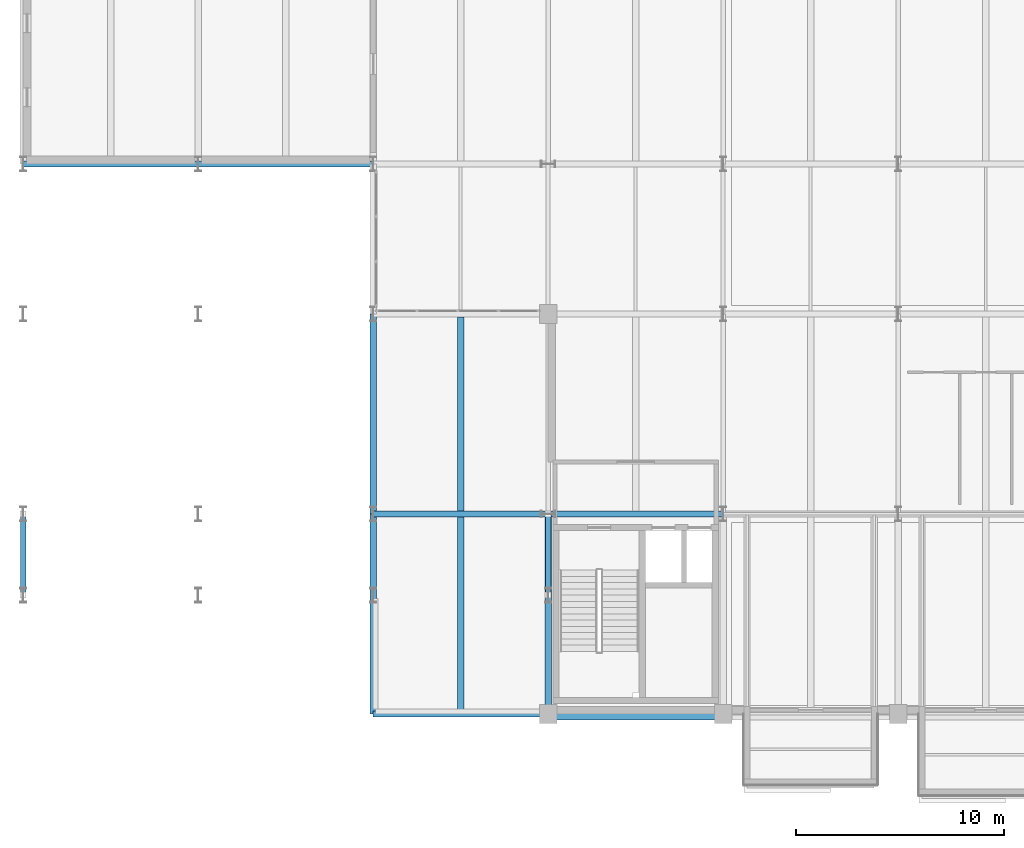
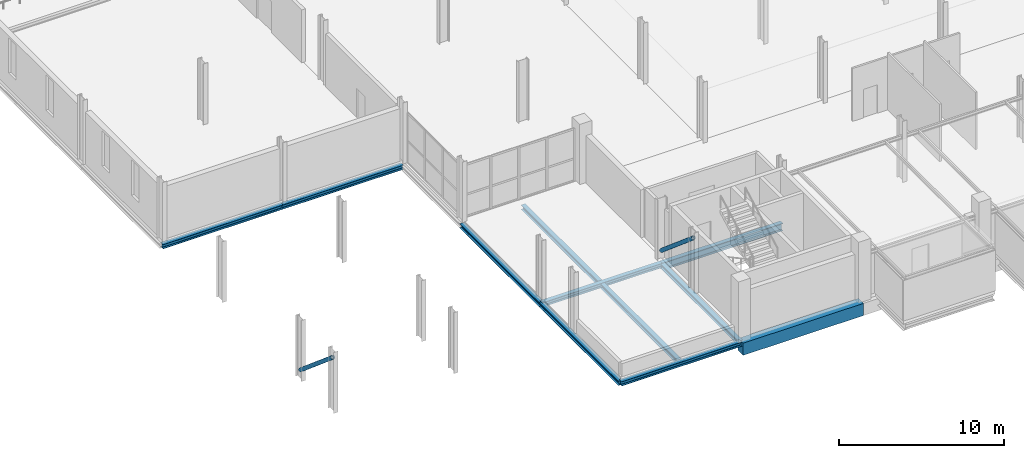
# One storey, part 13 of 113: 11 beams, 2 members.
"""IFC4 building model written with IfcOpenShell, lengths in metres."""

from ifc_helpers import new_model, si_unit, direction, frame, origin, origin_2d, place, context, subcontext, project, spatial, rectangle, hollow_circle, i_section, extrude, material, material_profile, profile_set, type_object, element, save


model = new_model("IFC4")

# Units and contexts
model_context = context("Model", 3, precision=1e-05, world=origin(), true_north=direction((0.0, 1.0)))
body_context = subcontext(model_context, "Body", "Model", "MODEL_VIEW")
ifc_project = project(units=[si_unit("LENGTHUNIT", "METRE"), si_unit("AREAUNIT", "SQUARE_METRE"), si_unit("VOLUMEUNIT", "CUBIC_METRE"), si_unit("PLANEANGLEUNIT", "RADIAN"), si_unit("MASSUNIT", "GRAM", prefix="KILO")], contexts=[model_context])

# Site, building, storey
site_placement = place(None, origin())
site = spatial("IfcSite", under=ifc_project, at=site_placement, CompositionType="ELEMENT")
building_placement = place(site_placement, origin())
building = spatial("IfcBuilding", under=site, at=building_placement, Name="Veltarok Museum of Natural Sciences", CompositionType="ELEMENT")
storey_placement = place(building_placement, frame((0.0, 0.0, 8.39990234375)))
storey = spatial("IfcBuildingStorey", under=building, at=storey_placement, Name="L01", CompositionType="ELEMENT", Elevation=8.39990234375)

# Beams
ifc_material_1 = material(Name="Steel S355J2", Category="steel")
ifc_material_profile_1 = material_profile(ifc_material_1, i_section(OverallWidth=0.300048828125, OverallDepth=0.330078125, WebThickness=0.009521484375, FlangeThickness=0.0166015625, FilletRadius=0.027099609375, at=origin_2d()), Name="HEA 340")
ifc_profile_set_1 = profile_set([ifc_material_profile_1], Name="Steel S355J2")
beam_type_1 = type_object("IfcBeamType", Name="Exhibition Floor Joist HEA 340", PredefinedType="JOIST", material=ifc_profile_set_1)
for number, where, z_axis, x_axis, name in (
    (1, (27.39990234375, 0.14794921875, -0.414794921875), (0.0, 1.0, 0.0), (-1.0, 0.0, 0.0), "Secondary Joist BM-J08 L01 3-4/A-B.1"),
    (2, (27.39990234375, 9.748046875, -0.414794921875), (0.0, 1.0, 0.0), (-1.0, 0.0, 0.0), "Secondary Joist BM-J08 L01 3-4/B-C.1"),
):
    element("IfcBeam", number, at=place(storey_placement, frame(where, z_axis=z_axis, x_axis=x_axis)), inside=storey, type_object=beam_type_1, Name=name, PredefinedType="JOIST", context=body_context, shape_type="SweptSolid", body=[
        extrude(i_section(OverallWidth=0.300048828125, OverallDepth=0.330078125, WebThickness=0.009521484375, FlangeThickness=0.0166015625, FilletRadius=0.027099609375, at=origin_2d()), origin(), (0.0, 0.0, 1.0), 9.303955078125),
    ])
ifc_material_2 = material(Name="Concrete C40/50", Category="concrete")
ifc_material_profile_2 = material_profile(ifc_material_2, rectangle(XDim=0.60009765625, YDim=0.89990234375, at=origin_2d()), Name="RC 600x900")
ifc_profile_set_2 = profile_set([ifc_material_profile_2], Name="Concrete C40/50")
beam_type_2 = type_object("IfcBeamType", Name="Exposed Cabinet Perimeter Spandrel RC 600x900", PredefinedType="SPANDREL", material=ifc_profile_set_2)
beam_1_placement = place(storey_placement, frame((31.60009765625, 0.0, -0.699951171875), z_axis=(1.0, 0.0, 0.0), x_axis=(0.0, 1.0, 0.0)))
element("IfcBeam", 3, at=beam_1_placement, inside=storey, type_object=beam_type_2, Name="Beam BM-SP01 L01 4-5/A", PredefinedType="SPANDREL", context=body_context, shape_type="SweptSolid", body=[
    extrude(rectangle(XDim=0.60009765625, YDim=0.89990234375, at=origin_2d()), origin(), (0.0, 0.0, 1.0), 8.39990234375),
])
ifc_material_profile_3 = material_profile(ifc_material_1, i_section(OverallWidth=0.300048828125, OverallDepth=0.550048828125, WebThickness=0.014892578125, FlangeThickness=0.029052734375, FilletRadius=0.027099609375, at=origin_2d()), Name="HEB 550")
ifc_profile_set_3 = profile_set([ifc_material_profile_3], Name="Steel S355J2")
beam_type_3 = type_object("IfcBeamType", Name="Gallery Girder HEB 550", PredefinedType="BEAM", material=ifc_profile_set_3)
beam_2_placement = place(storey_placement, frame((31.60009765625, 9.60009765625, -0.52490234375), z_axis=(1.0, 0.0, 0.0), x_axis=(0.0, 1.0, 0.0)))
element("IfcBeam", 4, at=beam_2_placement, inside=storey, type_object=beam_type_3, Name="Beam BM-G10 L01 4-5/B", PredefinedType="BEAM", context=body_context, shape_type="SweptSolid", body=[
    extrude(i_section(OverallWidth=0.300048828125, OverallDepth=0.550048828125, WebThickness=0.014892578125, FlangeThickness=0.029052734375, FilletRadius=0.027099609375, at=origin_2d()), origin(), (0.0, 0.0, 1.0), 8.39990234375),
])
ifc_material_profile_4 = material_profile(ifc_material_1, i_section(OverallWidth=0.300048828125, OverallDepth=0.320068359375, WebThickness=0.011474609375, FlangeThickness=0.0205078125, FilletRadius=0.027099609375, at=origin_2d()), Name="HEB 320")
ifc_profile_set_4 = profile_set([ifc_material_profile_4], Name="Steel S355J2")
beam_type_4 = type_object("IfcBeamType", Name="Perimeter Sawtooth Spandrel HEB 320", PredefinedType="SPANDREL", material=ifc_profile_set_4)
for number, where, z_axis, x_axis, name in (
    (5, (23.199951171875, 0.0, -0.409912109375), (1.0, 0.0, 0.0), (0.0, 1.0, 0.0), "Beam BM-SP06 L01 3-4/A"),
    (6, (23.199951171875, 9.60009765625, -0.409912109375), (1.0, 0.0, 0.0), (0.0, 1.0, 0.0), "Beam BM-SP06 L01 3-4/B"),
    (7, (6.39990234375, 26.39990234375, -0.409912109375), (1.0, 0.0, 0.0), (0.0, 1.0, 0.0), "Beam BM-SP06 L01 1-2/D"),
):
    element("IfcBeam", number, at=place(storey_placement, frame(where, z_axis=z_axis, x_axis=x_axis)), inside=storey, type_object=beam_type_4, Name=name, PredefinedType="SPANDREL", context=body_context, shape_type="SweptSolid", body=[
        extrude(i_section(OverallWidth=0.300048828125, OverallDepth=0.320068359375, WebThickness=0.011474609375, FlangeThickness=0.0205078125, FilletRadius=0.027099609375, at=origin_2d()), origin(), (0.0, 0.0, 1.0), 8.400146484375),
    ])
beam_3_placement = place(storey_placement, frame((14.800048828125, 26.39990234375, -0.409912109375), z_axis=(1.0, 0.0, 0.0), x_axis=(0.0, 1.0, 0.0)))
element("IfcBeam", 8, at=beam_3_placement, inside=storey, type_object=beam_type_4, Name="Beam BM-SP06 L01 2-3/D", PredefinedType="SPANDREL", context=body_context, shape_type="SweptSolid", body=[
    extrude(i_section(OverallWidth=0.300048828125, OverallDepth=0.320068359375, WebThickness=0.011474609375, FlangeThickness=0.0205078125, FilletRadius=0.027099609375, at=origin_2d()), origin(), (0.0, 0.0, 1.0), 8.39990234375),
])
beam_4_placement = place(storey_placement, frame((23.199951171875, 0.0, -0.409912109375), z_axis=(0.0, 1.0, 0.0), x_axis=(-1.0, 0.0, 0.0)))
element("IfcBeam", 9, at=beam_4_placement, inside=storey, type_object=beam_type_4, Name="Beam BM-SP06 L01 3/A-B", PredefinedType="SPANDREL", context=body_context, shape_type="SweptSolid", body=[
    extrude(i_section(OverallWidth=0.300048828125, OverallDepth=0.320068359375, WebThickness=0.011474609375, FlangeThickness=0.0205078125, FilletRadius=0.027099609375, at=origin_2d()), origin(), (0.0, 0.0, 1.0), 9.60009765625),
])
beam_5_placement = place(storey_placement, frame((23.199951171875, 9.60009765625, -0.409912109375), z_axis=(0.0, 1.0, 0.0), x_axis=(-1.0, 0.0, 0.0)))
element("IfcBeam", 10, at=beam_5_placement, inside=storey, type_object=beam_type_4, Name="Beam BM-SP06 L01 3/B-C", PredefinedType="SPANDREL", context=body_context, shape_type="SweptSolid", body=[
    extrude(i_section(OverallWidth=0.300048828125, OverallDepth=0.320068359375, WebThickness=0.011474609375, FlangeThickness=0.0205078125, FilletRadius=0.027099609375, at=origin_2d()), origin(), (0.0, 0.0, 1.0), 9.599853515625),
])
beam_6_placement = place(storey_placement, frame((31.60009765625, 0.0, -0.409912109375), z_axis=(0.0, 1.0, 0.0), x_axis=(-1.0, 0.0, 0.0)))
element("IfcBeam", 11, at=beam_6_placement, inside=storey, type_object=beam_type_4, Name="Beam BM-SP06 L01 4/A-B", PredefinedType="SPANDREL", context=body_context, shape_type="SweptSolid", body=[
    extrude(i_section(OverallWidth=0.300048828125, OverallDepth=0.320068359375, WebThickness=0.011474609375, FlangeThickness=0.0205078125, FilletRadius=0.027099609375, at=origin_2d()), origin(), (0.0, 0.0, 1.0), 9.60009765625),
])

# Members
ifc_material_3 = material(Name="Oxide-red painted Steel S355J2", Category="steel")
ifc_material_profile_5 = material_profile(ifc_material_3, hollow_circle(Radius=0.136474609375, WallThickness=0.012451171875, at=origin_2d()), Name="CHS 273x12.5")
ifc_profile_set_5 = profile_set([ifc_material_profile_5], Name="Oxide-red painted Steel S355J2")
member_type = type_object("IfcMemberType", Name="Transfer Truss Web Diagonal CHS 273x12.5", PredefinedType="BRACE", material=ifc_profile_set_5)
for number, where, z_axis, x_axis, name in (
    (12, (6.39990234375, 9.60009765625, 0.60009765625), (0.0, -0.763393535726, 0.645933672765), (1.0, 0.0, 0.0), "Bridge Cantilever Raking Strut L02 1"),
    (13, (31.60009765625, 9.60009765625, 0.60009765625), (0.0, -0.763393535726, 0.645933672765), (1.0, 0.0, 0.0), "Bridge Cantilever Raking Strut L02 4"),
):
    element("IfcMember", number, at=place(storey_placement, frame(where, z_axis=z_axis, x_axis=x_axis)), inside=storey, type_object=member_type, Name=name, PredefinedType="BRACE", context=body_context, shape_type="SweptSolid", body=[
        extrude(hollow_circle(Radius=0.136474609375, WallThickness=0.012451171875, at=origin_2d()), origin(), (0.0, 0.0, 1.0), 5.10888671875),
    ])

save(model, "model.ifc")
